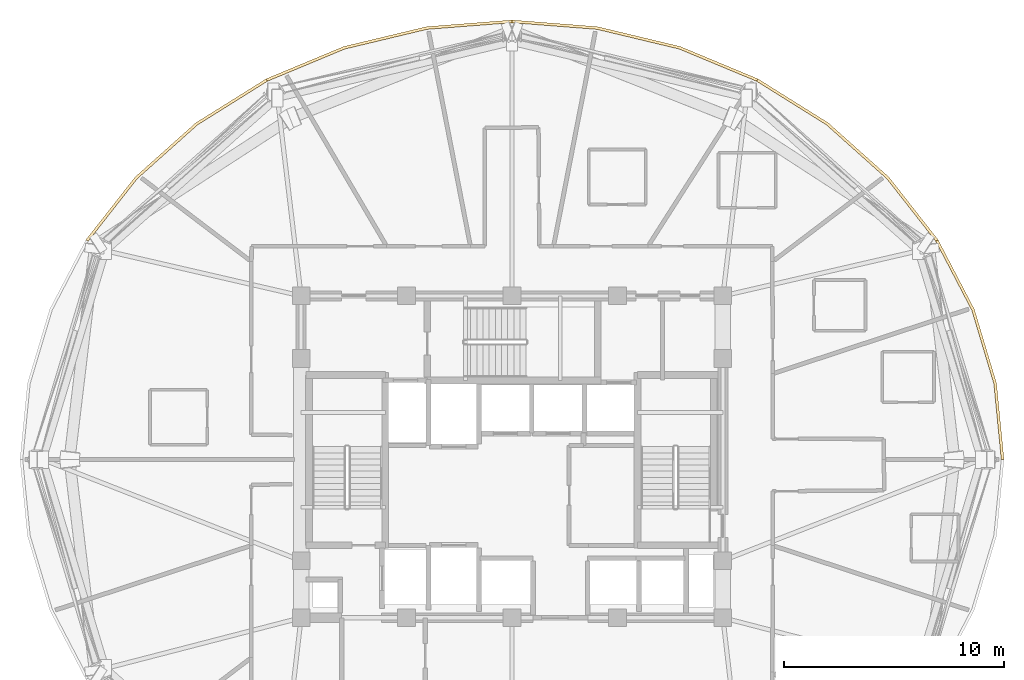
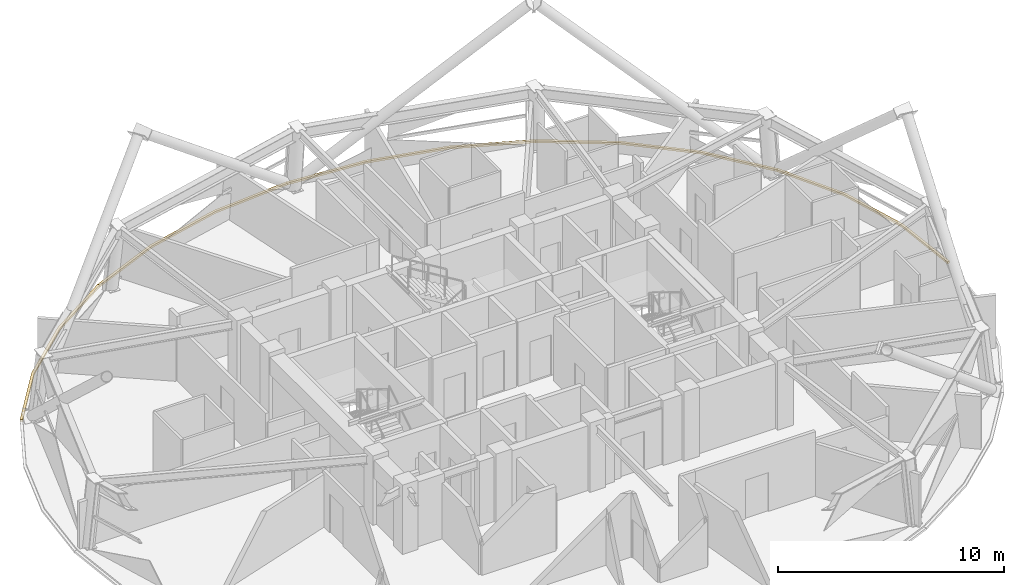
# One storey, part 12 of 12: 5 coverings.
"""IFC4 building model written with IfcOpenShell, lengths in metres."""

import ifcopenshell
import ifcopenshell.guid

model = None  # the IFC model being written
_history = None  # IfcOwnerHistory: only IFC2X3 demands one
_inside = {}  # id of a spatial element -> (the spatial element, [elements in it])
_under = {}  # id of a project, library or spatial element -> (it, [spatial elements below it])
_declared = {}  # id of a project -> (the project, [libraries it declares])
_typed = {}  # id of a type object -> (the type object, [elements of that type])
_made_of = {}  # id of a material, layer set ... -> (it, [elements and type objects made of it])


def new_model(schema):
    """Start an empty IFC model of exactly this schema.

    Asked for "IFC4X3", IfcOpenShell would pick the latest addendum, in which some entities
    have other attributes; the version numbers below select the first issue.
    IFC2X3 requires an IfcOwnerHistory on every rooted entity: one is made here for all.
    """
    global model, _history
    if schema == "IFC4X3":
        model = ifcopenshell.file(schema_version=(4, 3, 0, 0))
    else:
        model = ifcopenshell.file(schema=schema)
    _inside.clear()
    _under.clear()
    _declared.clear()
    _typed.clear()
    _made_of.clear()
    _history = None
    if model.schema == "IFC2X3":
        org = make("IfcOrganization", Name="unknown")
        user = make(
            "IfcPersonAndOrganization",
            ThePerson=make("IfcPerson", FamilyName="unknown"),
            TheOrganization=org,
        )
        app = make(
            "IfcApplication",
            ApplicationDeveloper=org,
            Version="unknown",
            ApplicationFullName="unknown",
            ApplicationIdentifier="unknown",
        )
        _history = make(
            "IfcOwnerHistory",
            OwningUser=user,
            OwningApplication=app,
            ChangeAction="ADDED",
            CreationDate=0,
        )
    return model


def make(cls, **values):
    """One entity of the class cls with the attributes given. An attribute that is None is left unset."""
    return model.create_entity(
        cls, **{name: value for name, value in values.items() if value is not None}
    )


def rooted(cls, **values):
    """An entity with a GlobalId (a new one), such as an element, a storey or a relation."""
    return make(cls, GlobalId=ifcopenshell.guid.new(), OwnerHistory=_history, **values)


def si_unit(unit_type, name, prefix=None):
    """IfcSIUnit, for example si_unit("LENGTHUNIT", "METRE", prefix="MILLI")."""
    return make("IfcSIUnit", UnitType=unit_type, Prefix=prefix, Name=name)


def assignment(units):
    """IfcUnitAssignment: the units of a project."""
    return None if units is None else make("IfcUnitAssignment", Units=units)


def point(xyz):
    """IfcCartesianPoint."""
    return None if xyz is None else make("IfcCartesianPoint", Coordinates=xyz)


def direction(xyz):
    """IfcDirection."""
    return None if xyz is None else make("IfcDirection", DirectionRatios=xyz)


def frame(location, z_axis=None, x_axis=None):
    """IfcAxis2Placement3D, a coordinate frame: its origin and axes. An axis left out is left unset."""
    return make(
        "IfcAxis2Placement3D",
        Location=point(location),
        Axis=direction(z_axis),
        RefDirection=direction(x_axis),
    )


def origin():
    """The frame at (0, 0, 0) with its axes left unset."""
    return frame((0.0, 0.0, 0.0))


def place(relative_to, where):
    """IfcLocalPlacement: puts the frame where relative to a parent placement (None: the world)."""
    return make(
        "IfcLocalPlacement", PlacementRelTo=relative_to, RelativePlacement=where
    )


def context(
    kind, dimensions, precision=None, world=None, true_north=None, identifier=None
):
    """IfcGeometricRepresentationContext, for example the 3D "Model" context."""
    return make(
        "IfcGeometricRepresentationContext",
        ContextIdentifier=identifier,
        ContextType=kind,
        CoordinateSpaceDimension=dimensions,
        Precision=precision,
        WorldCoordinateSystem=world,
        TrueNorth=true_north,
    )


def subcontext(parent, identifier, kind, view, scale=None):
    """IfcGeometricRepresentationSubContext, for example "Body" below "Model"."""
    return make(
        "IfcGeometricRepresentationSubContext",
        ContextIdentifier=identifier,
        ContextType=kind,
        ParentContext=parent,
        TargetScale=scale,
        TargetView=view,
    )


def project(units=None, contexts=None):
    """IfcProject with its units and contexts."""
    return rooted(
        "IfcProject",
        Name="project",
        RepresentationContexts=contexts,
        UnitsInContext=assignment(units),
    )


def spatial(cls, under=None, at=None, **own):
    """A site, building, storey or space (cls), placed at a placement, below another one or the project."""
    s = rooted(cls, ObjectPlacement=at, **own)
    if under is not None:
        _under.setdefault(under.id(), (under, []))[1].append(s)
    return s


def polyline(points):
    """IfcPolyline through the points."""
    return make("IfcPolyline", Points=[point(p) for p in points])


def outline(outer, holes=None, kind="AREA"):
    """IfcArbitraryClosedProfileDef: a profile drawn as a closed curve; with holes, ...WithVoids."""
    if holes is None:
        return make("IfcArbitraryClosedProfileDef", ProfileType=kind, OuterCurve=outer)
    return make(
        "IfcArbitraryProfileDefWithVoids",
        ProfileType=kind,
        OuterCurve=outer,
        InnerCurves=holes,
    )


def extrude(swept, where, along, depth):
    """IfcExtrudedAreaSolid: the profile swept, set in the frame where, extruded along a direction by depth."""
    return make(
        "IfcExtrudedAreaSolid",
        SweptArea=swept,
        Position=where,
        ExtrudedDirection=direction(along),
        Depth=depth,
    )


def shape(context_of_items, identifier, shape_type, items):
    """IfcShapeRepresentation: the items that make up one representation, for example the "Body"."""
    return make(
        "IfcShapeRepresentation",
        ContextOfItems=context_of_items,
        RepresentationIdentifier=identifier,
        RepresentationType=shape_type,
        Items=items,
    )


def material(Name=None, Category=None):
    """IfcMaterial."""
    return make("IfcMaterial", Name=Name, Category=Category)


def layer(
    of_material, thickness, ventilated=None, Name=None, Category=None, Priority=None
):
    """IfcMaterialLayer: one layer of a wall or slab, of a material (None: an air gap)."""
    return make(
        "IfcMaterialLayer",
        Material=of_material,
        LayerThickness=thickness,
        IsVentilated=ventilated,
        Name=Name,
        Category=Category,
        Priority=Priority,
    )


def layer_set(layers, Name=None):
    """IfcMaterialLayerSet."""
    return make("IfcMaterialLayerSet", MaterialLayers=layers, LayerSetName=Name)


def made_of(thing, what):
    """Note that an element or type object is made of a material, layer set ...; save() writes the relation."""
    if what is not None:
        _made_of.setdefault(what.id(), (what, []))[1].append(thing)
    return thing


def type_object(cls, material=None, **own):
    """A type object (cls), such as IfcWallType, which elements share."""
    return made_of(rooted(cls, **own), material)


def element(
    cls,
    number,
    at=None,
    inside=None,
    cuts=None,
    type_object=None,
    material=None,
    context=None,
    identifier="Body",
    shape_type=None,
    held_by="IfcProductDefinitionShape",
    body=None,
    shapes=None,
    **own,
):
    """One element of the class cls, such as IfcWall. Its Tag is "e" and its number.

    at: its placement. inside: the storey or other place that contains it. cuts: it is an
    opening in that element (IfcRelVoidsElement). A single representation is given by context,
    identifier, shape_type and body (its items); several are given by shapes. held_by: the class
    of the entity that holds the representations. save() writes the other relations.
    """
    e = rooted(cls, Tag="e%d" % number, ObjectPlacement=at, **own)
    if body is not None:
        shapes = [shape(context, identifier, shape_type, body)]
    if shapes is not None:
        e.Representation = make(held_by, Representations=shapes)
    if inside is not None:
        _inside.setdefault(inside.id(), (inside, []))[1].append(e)
    if cuts is not None:
        rooted(
            "IfcRelVoidsElement", RelatingBuildingElement=cuts, RelatedOpeningElement=e
        )
    if type_object is not None:
        _typed.setdefault(type_object.id(), (type_object, []))[1].append(e)
    return made_of(e, material)


def aggregate(whole, parts):
    """IfcRelAggregates: a whole, such as a stair, and the parts it consists of."""
    return rooted("IfcRelAggregates", RelatingObject=whole, RelatedObjects=parts)


def save(model, path):
    """Write the relations noted so far, then the file.

    IfcRelAggregates (storeys below a building ...), IfcRelContainedInSpatialStructure (elements
    in a storey), IfcRelDefinesByType, IfcRelAssociatesMaterial and IfcRelDeclares: one each for
    every whole, place, type object, material and project.
    """
    for whole, parts in _under.values():
        aggregate(whole, parts)
    for where, things in _inside.values():
        rooted(
            "IfcRelContainedInSpatialStructure",
            RelatedElements=things,
            RelatingStructure=where,
        )
    for kind, things in _typed.values():
        rooted("IfcRelDefinesByType", RelatedObjects=things, RelatingType=kind)
    for what, things in _made_of.values():
        rooted("IfcRelAssociatesMaterial", RelatedObjects=things, RelatingMaterial=what)
    for by, libraries in _declared.values():
        rooted("IfcRelDeclares", RelatingContext=by, RelatedDefinitions=libraries)
    model.write(path)


model = new_model("IFC4")

# Units and contexts
model_context = context("Model", 3, precision=1e-05, world=origin(), true_north=direction((0.0, 1.0)))
body_context = subcontext(model_context, "Body", "Model", "MODEL_VIEW")
ifc_project = project(units=[si_unit("LENGTHUNIT", "METRE"), si_unit("AREAUNIT", "SQUARE_METRE"), si_unit("VOLUMEUNIT", "CUBIC_METRE"), si_unit("PLANEANGLEUNIT", "RADIAN"), si_unit("MASSUNIT", "GRAM", prefix="KILO")], contexts=[model_context])

# Site, building, storey
site_placement = place(None, origin())
site = spatial("IfcSite", under=ifc_project, at=site_placement, CompositionType="ELEMENT")
building_placement = place(site_placement, origin())
building = spatial("IfcBuilding", under=site, at=building_placement, Name="Vantalir Tower", CompositionType="ELEMENT")
storey_placement = place(building_placement, frame((0.0, 0.0, 249.89990234375)))
storey = spatial("IfcBuildingStorey", under=building, at=storey_placement, Name="L63", CompositionType="ELEMENT", Elevation=249.89990234375)

# Coverings
ifc_material = material(Name="Anodised champagne aluminium sill fascia", Category="aluminium")
ifc_layer = layer(ifc_material, 0.125)
ifc_layer_set = layer_set([ifc_layer], Name="Anodised champagne aluminium sill fascia")
covering_type = type_object("IfcCoveringType", Name="COV-SLAB-FASCIA-125", PredefinedType="CLADDING", material=ifc_layer_set)
covering_1_placement = place(storey_placement, frame((0.0, 0.0, -0.179931640625)))
element("IfcCovering", 1, at=covering_1_placement, inside=storey, type_object=covering_type, Name="L63 Perimeter Slab-Edge Sill Fascia 01", PredefinedType="CLADDING", context=body_context, shape_type="SweptSolid", body=[
    extrude(outline(polyline([(53.89306640625, 25.0), (53.552978515625, 28.47412109375), (52.54296875, 31.843017578125), (50.89306640625, 35.00390625), (50.784912109375, 34.94091796875), (52.425048828125, 31.800048828125), (53.429931640625, 28.452880859375), (53.76806640625, 25.0), (53.89306640625, 25.0)])), origin(), (0.0, 0.0, 1.0), 0.10498046875),
])
covering_2_placement = place(storey_placement, frame((0.0, 0.0, -0.179931640625)))
element("IfcCovering", 2, at=covering_2_placement, inside=storey, type_object=covering_type, Name="L63 Perimeter Slab-Edge Sill Fascia 02", PredefinedType="CLADDING", context=body_context, shape_type="SweptSolid", body=[
    extrude(outline(polyline([(50.89306640625, 35.00390625), (48.654052734375, 37.861083984375), (45.89404296875, 40.326904296875), (42.697021484375, 42.326904296875), (42.634033203125, 42.218994140625), (45.81396484375, 40.23095703125), (48.55810546875, 37.781005859375), (50.784912109375, 34.94091796875), (50.89306640625, 35.00390625)])), origin(), (0.0, 0.0, 1.0), 0.10498046875),
])
covering_3_placement = place(storey_placement, frame((0.0, 0.0, -0.179931640625)))
element("IfcCovering", 3, at=covering_3_placement, inside=storey, type_object=covering_type, Name="L63 Perimeter Slab-Edge Sill Fascia 03", PredefinedType="CLADDING", context=body_context, shape_type="SweptSolid", body=[
    extrude(outline(polyline([(42.697021484375, 42.326904296875), (39.158935546875, 43.801025390625), (35.388916015625, 44.7041015625), (31.5, 45.008056640625), (31.5, 44.883056640625), (35.366943359375, 44.5810546875), (39.115966796875, 43.68408203125), (42.634033203125, 42.218994140625), (42.697021484375, 42.326904296875)])), origin(), (0.0, 0.0, 1.0), 0.10498046875),
])
covering_4_placement = place(storey_placement, frame((0.0, 0.0, -0.179931640625)))
element("IfcCovering", 4, at=covering_4_placement, inside=storey, type_object=covering_type, Name="L63 Perimeter Slab-Edge Sill Fascia 04", PredefinedType="CLADDING", context=body_context, shape_type="SweptSolid", body=[
    extrude(outline(polyline([(31.5, 45.008056640625), (27.611083984375, 44.7041015625), (23.841064453125, 43.801025390625), (20.303955078125, 42.326904296875), (20.365966796875, 42.218994140625), (23.884033203125, 43.68408203125), (27.633056640625, 44.5810546875), (31.5, 44.883056640625), (31.5, 45.008056640625)])), origin(), (0.0, 0.0, 1.0), 0.10498046875),
])
covering_5_placement = place(storey_placement, frame((0.0, 0.0, -0.179931640625)))
element("IfcCovering", 5, at=covering_5_placement, inside=storey, type_object=covering_type, Name="L63 Perimeter Slab-Edge Sill Fascia 05", PredefinedType="CLADDING", context=body_context, shape_type="SweptSolid", body=[
    extrude(outline(polyline([(20.303955078125, 42.326904296875), (17.10595703125, 40.326904296875), (14.345947265625, 37.861083984375), (12.10693359375, 35.00390625), (12.215087890625, 34.94091796875), (14.44189453125, 37.781005859375), (17.18603515625, 40.23095703125), (20.365966796875, 42.218994140625), (20.303955078125, 42.326904296875)])), origin(), (0.0, 0.0, 1.0), 0.10498046875),
])

save(model, "model.ifc")
